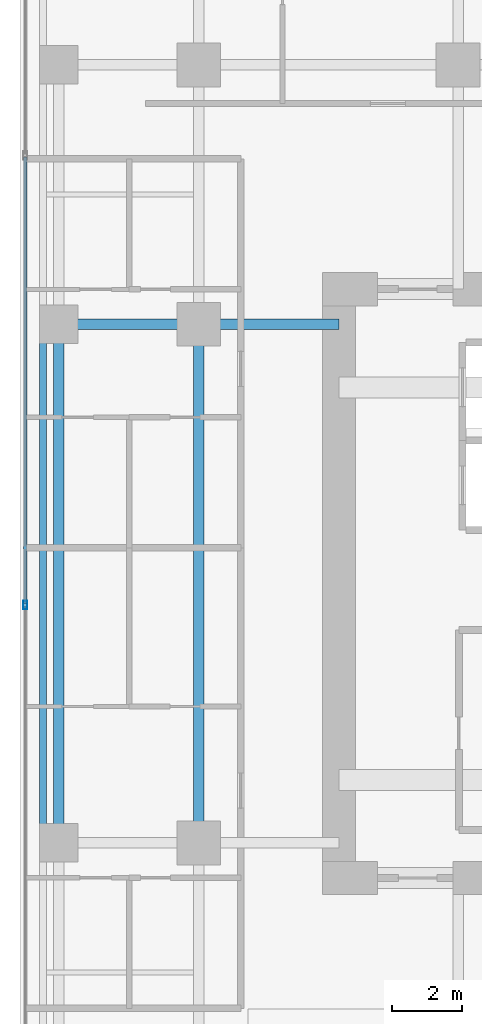
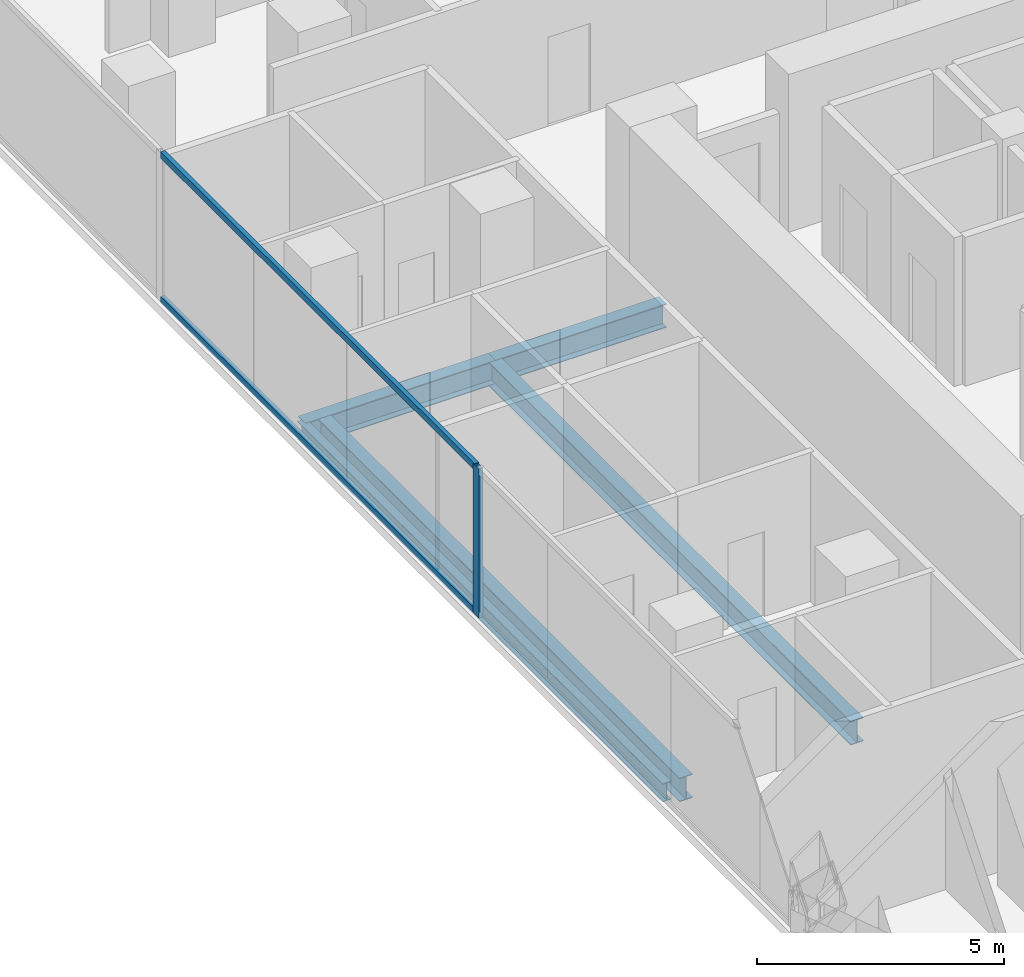
# One storey, part 6 of 28: 5 beams, 3 members, 1 element without a shape of its own.
"""IFC4 building model written with IfcOpenShell, lengths in metres."""

import ifcopenshell
import ifcopenshell.guid

model = None  # the IFC model being written
_history = None  # IfcOwnerHistory: only IFC2X3 demands one
_inside = {}  # id of a spatial element -> (the spatial element, [elements in it])
_under = {}  # id of a project, library or spatial element -> (it, [spatial elements below it])
_declared = {}  # id of a project -> (the project, [libraries it declares])
_typed = {}  # id of a type object -> (the type object, [elements of that type])
_made_of = {}  # id of a material, layer set ... -> (it, [elements and type objects made of it])


def new_model(schema):
    """Start an empty IFC model of exactly this schema.

    Asked for "IFC4X3", IfcOpenShell would pick the latest addendum, in which some entities
    have other attributes; the version numbers below select the first issue.
    IFC2X3 requires an IfcOwnerHistory on every rooted entity: one is made here for all.
    """
    global model, _history
    if schema == "IFC4X3":
        model = ifcopenshell.file(schema_version=(4, 3, 0, 0))
    else:
        model = ifcopenshell.file(schema=schema)
    _inside.clear()
    _under.clear()
    _declared.clear()
    _typed.clear()
    _made_of.clear()
    _history = None
    if model.schema == "IFC2X3":
        org = make("IfcOrganization", Name="unknown")
        user = make(
            "IfcPersonAndOrganization",
            ThePerson=make("IfcPerson", FamilyName="unknown"),
            TheOrganization=org,
        )
        app = make(
            "IfcApplication",
            ApplicationDeveloper=org,
            Version="unknown",
            ApplicationFullName="unknown",
            ApplicationIdentifier="unknown",
        )
        _history = make(
            "IfcOwnerHistory",
            OwningUser=user,
            OwningApplication=app,
            ChangeAction="ADDED",
            CreationDate=0,
        )
    return model


def make(cls, **values):
    """One entity of the class cls with the attributes given. An attribute that is None is left unset."""
    return model.create_entity(
        cls, **{name: value for name, value in values.items() if value is not None}
    )


def rooted(cls, **values):
    """An entity with a GlobalId (a new one), such as an element, a storey or a relation."""
    return make(cls, GlobalId=ifcopenshell.guid.new(), OwnerHistory=_history, **values)


def si_unit(unit_type, name, prefix=None):
    """IfcSIUnit, for example si_unit("LENGTHUNIT", "METRE", prefix="MILLI")."""
    return make("IfcSIUnit", UnitType=unit_type, Prefix=prefix, Name=name)


def assignment(units):
    """IfcUnitAssignment: the units of a project."""
    return None if units is None else make("IfcUnitAssignment", Units=units)


def point(xyz):
    """IfcCartesianPoint."""
    return None if xyz is None else make("IfcCartesianPoint", Coordinates=xyz)


def direction(xyz):
    """IfcDirection."""
    return None if xyz is None else make("IfcDirection", DirectionRatios=xyz)


def frame(location, z_axis=None, x_axis=None):
    """IfcAxis2Placement3D, a coordinate frame: its origin and axes. An axis left out is left unset."""
    return make(
        "IfcAxis2Placement3D",
        Location=point(location),
        Axis=direction(z_axis),
        RefDirection=direction(x_axis),
    )


def frame_2d(location, x_axis=None):
    """IfcAxis2Placement2D, a coordinate frame in the plane: its origin and x axis."""
    return make(
        "IfcAxis2Placement2D", Location=point(location), RefDirection=direction(x_axis)
    )


def origin():
    """The frame at (0, 0, 0) with its axes left unset."""
    return frame((0.0, 0.0, 0.0))


def origin_2d():
    """The frame at (0, 0) in the plane with its x axis left unset."""
    return frame_2d((0.0, 0.0))


def place(relative_to, where):
    """IfcLocalPlacement: puts the frame where relative to a parent placement (None: the world)."""
    return make(
        "IfcLocalPlacement", PlacementRelTo=relative_to, RelativePlacement=where
    )


def context(
    kind, dimensions, precision=None, world=None, true_north=None, identifier=None
):
    """IfcGeometricRepresentationContext, for example the 3D "Model" context."""
    return make(
        "IfcGeometricRepresentationContext",
        ContextIdentifier=identifier,
        ContextType=kind,
        CoordinateSpaceDimension=dimensions,
        Precision=precision,
        WorldCoordinateSystem=world,
        TrueNorth=true_north,
    )


def subcontext(parent, identifier, kind, view, scale=None):
    """IfcGeometricRepresentationSubContext, for example "Body" below "Model"."""
    return make(
        "IfcGeometricRepresentationSubContext",
        ContextIdentifier=identifier,
        ContextType=kind,
        ParentContext=parent,
        TargetScale=scale,
        TargetView=view,
    )


def project(units=None, contexts=None):
    """IfcProject with its units and contexts."""
    return rooted(
        "IfcProject",
        Name="project",
        RepresentationContexts=contexts,
        UnitsInContext=assignment(units),
    )


def spatial(cls, under=None, at=None, **own):
    """A site, building, storey or space (cls), placed at a placement, below another one or the project."""
    s = rooted(cls, ObjectPlacement=at, **own)
    if under is not None:
        _under.setdefault(under.id(), (under, []))[1].append(s)
    return s


def profile(cls, at=None, kind="AREA", **sizes):
    """A parametric profile (cls). Its sizes go by their IFC names, for example OverallWidth=200.0."""
    return make(cls, ProfileType=kind, Position=at, **sizes)


def hollow_rectangle(**sizes):
    """IfcRectangleHollowProfileDef."""
    return profile("IfcRectangleHollowProfileDef", **sizes)


def i_section(**sizes):
    """IfcIShapeProfileDef."""
    return profile("IfcIShapeProfileDef", **sizes)


def extrude(swept, where, along, depth):
    """IfcExtrudedAreaSolid: the profile swept, set in the frame where, extruded along a direction by depth."""
    return make(
        "IfcExtrudedAreaSolid",
        SweptArea=swept,
        Position=where,
        ExtrudedDirection=direction(along),
        Depth=depth,
    )


def shape(context_of_items, identifier, shape_type, items):
    """IfcShapeRepresentation: the items that make up one representation, for example the "Body"."""
    return make(
        "IfcShapeRepresentation",
        ContextOfItems=context_of_items,
        RepresentationIdentifier=identifier,
        RepresentationType=shape_type,
        Items=items,
    )


def material(Name=None, Category=None):
    """IfcMaterial."""
    return make("IfcMaterial", Name=Name, Category=Category)


def layer(
    of_material, thickness, ventilated=None, Name=None, Category=None, Priority=None
):
    """IfcMaterialLayer: one layer of a wall or slab, of a material (None: an air gap)."""
    return make(
        "IfcMaterialLayer",
        Material=of_material,
        LayerThickness=thickness,
        IsVentilated=ventilated,
        Name=Name,
        Category=Category,
        Priority=Priority,
    )


def layer_set(layers, Name=None):
    """IfcMaterialLayerSet."""
    return make("IfcMaterialLayerSet", MaterialLayers=layers, LayerSetName=Name)


def material_profile(
    of_material, cross_section, Name=None, Category=None, Priority=None
):
    """IfcMaterialProfile: a cross section and its material."""
    return make(
        "IfcMaterialProfile",
        Name=Name,
        Material=of_material,
        Profile=cross_section,
        Priority=Priority,
        Category=Category,
    )


def profile_set(profiles, Name=None, composite=None):
    """IfcMaterialProfileSet."""
    return make(
        "IfcMaterialProfileSet",
        Name=Name,
        MaterialProfiles=profiles,
        CompositeProfile=composite,
    )


def made_of(thing, what):
    """Note that an element or type object is made of a material, layer set ...; save() writes the relation."""
    if what is not None:
        _made_of.setdefault(what.id(), (what, []))[1].append(thing)
    return thing


def type_object(cls, material=None, **own):
    """A type object (cls), such as IfcWallType, which elements share."""
    return made_of(rooted(cls, **own), material)


def element(
    cls,
    number,
    at=None,
    inside=None,
    cuts=None,
    type_object=None,
    material=None,
    context=None,
    identifier="Body",
    shape_type=None,
    held_by="IfcProductDefinitionShape",
    body=None,
    shapes=None,
    **own,
):
    """One element of the class cls, such as IfcWall. Its Tag is "e" and its number.

    at: its placement. inside: the storey or other place that contains it. cuts: it is an
    opening in that element (IfcRelVoidsElement). A single representation is given by context,
    identifier, shape_type and body (its items); several are given by shapes. held_by: the class
    of the entity that holds the representations. save() writes the other relations.
    """
    e = rooted(cls, Tag="e%d" % number, ObjectPlacement=at, **own)
    if body is not None:
        shapes = [shape(context, identifier, shape_type, body)]
    if shapes is not None:
        e.Representation = make(held_by, Representations=shapes)
    if inside is not None:
        _inside.setdefault(inside.id(), (inside, []))[1].append(e)
    if cuts is not None:
        rooted(
            "IfcRelVoidsElement", RelatingBuildingElement=cuts, RelatedOpeningElement=e
        )
    if type_object is not None:
        _typed.setdefault(type_object.id(), (type_object, []))[1].append(e)
    return made_of(e, material)


def aggregate(whole, parts):
    """IfcRelAggregates: a whole, such as a stair, and the parts it consists of."""
    return rooted("IfcRelAggregates", RelatingObject=whole, RelatedObjects=parts)


def save(model, path):
    """Write the relations noted so far, then the file.

    IfcRelAggregates (storeys below a building ...), IfcRelContainedInSpatialStructure (elements
    in a storey), IfcRelDefinesByType, IfcRelAssociatesMaterial and IfcRelDeclares: one each for
    every whole, place, type object, material and project.
    """
    for whole, parts in _under.values():
        aggregate(whole, parts)
    for where, things in _inside.values():
        rooted(
            "IfcRelContainedInSpatialStructure",
            RelatedElements=things,
            RelatingStructure=where,
        )
    for kind, things in _typed.values():
        rooted("IfcRelDefinesByType", RelatedObjects=things, RelatingType=kind)
    for what, things in _made_of.values():
        rooted("IfcRelAssociatesMaterial", RelatedObjects=things, RelatingMaterial=what)
    for by, libraries in _declared.values():
        rooted("IfcRelDeclares", RelatingContext=by, RelatedDefinitions=libraries)
    model.write(path)


model = new_model("IFC4")

# Units and contexts
model_context = context("Model", 3, precision=1e-05, world=origin(), true_north=direction((0.0, 1.0)))
body_context = subcontext(model_context, "Body", "Model", "MODEL_VIEW")
ifc_project = project(units=[si_unit("LENGTHUNIT", "METRE"), si_unit("AREAUNIT", "SQUARE_METRE"), si_unit("VOLUMEUNIT", "CUBIC_METRE"), si_unit("PLANEANGLEUNIT", "RADIAN"), si_unit("MASSUNIT", "GRAM", prefix="KILO")], contexts=[model_context])

# Site, building, storey
site_placement = place(None, origin())
site = spatial("IfcSite", under=ifc_project, at=site_placement, CompositionType="ELEMENT")
building_placement = place(site_placement, origin())
building = spatial("IfcBuilding", under=site, at=building_placement, Name="Khorvyn Point Tower", CompositionType="ELEMENT")
storey_placement = place(building_placement, frame((0.0, 0.0, 121.199951171875)))
storey = spatial("IfcBuildingStorey", under=building, at=storey_placement, Name="L30", CompositionType="ELEMENT", Elevation=121.199951171875)

# Curtain wall, members
ifc_material_1 = material(Name="Anodised aluminium 6063-T6 and laminated Low-E glass", Category="aluminium")
ifc_layer = layer(ifc_material_1, 0.18994140625)
ifc_layer_set = layer_set([ifc_layer], Name="Stick-Built Acoustic Curtain Wall CW-SYS-03")
curtain_wall_type = type_object("IfcCurtainWallType", Name="Stick-Built Acoustic Curtain Wall CW-SYS-03", PredefinedType="NOTDEFINED", material=ifc_layer_set)
curtain_wall_placement = place(storey_placement, origin())
curtain_wall = element("IfcCurtainWall", 1, at=curtain_wall_placement, inside=storey, type_object=curtain_wall_type, Name="Curtain Wall", PredefinedType="NOTDEFINED")
ifc_material_2 = material(Name="Anodised aluminium 6063-T6", Category="aluminium")
ifc_material_profile_1 = material_profile(ifc_material_2, hollow_rectangle(XDim=0.10009765625, YDim=0.239990234375, WallThickness=0.0048828125, at=origin_2d()))
ifc_profile_set_1 = profile_set([ifc_material_profile_1], Name="Anodised aluminium 6063-T6 ALU-MUL-100x240")
member_type_1 = type_object("IfcMemberType", Name="Anodised Aluminium 6063-T6 Mullion ALU-MUL-100x240", PredefinedType="MULLION", material=ifc_profile_set_1)
member_1_placement = place(storey_placement, frame((-19.75, -0.61669921875, 0.0), z_axis=(0.0, 0.0, 1.0), x_axis=(-1.0, 0.0, 0.0)))
member_1 = element("IfcMember", 2, at=member_1_placement, type_object=member_type_1, Name="Transom", PredefinedType="MULLION", context=body_context, shape_type="SweptSolid", body=[
    extrude(hollow_rectangle(XDim=0.10009765625, YDim=0.239990234375, WallThickness=0.0048828125, at=origin_2d()), origin(), (0.0, 0.0, 1.0), 3.679931640625),
])
ifc_material_profile_2 = material_profile(ifc_material_2, hollow_rectangle(XDim=0.10009765625, YDim=0.159912109375, WallThickness=0.00439453125, at=origin_2d()))
ifc_profile_set_2 = profile_set([ifc_material_profile_2], Name="Anodised aluminium 6063-T6 ALU-TRN-100x160")
member_type_2 = type_object("IfcMemberType", Name="Anodised Aluminium 6063-T6 Transom ALU-TRN-100x160", PredefinedType="USERDEFINED", material=ifc_profile_set_2)
member_2_placement = place(storey_placement, frame((-19.75, -0.566650390625, 0.050048828125), z_axis=(0.0, 1.0, 0.0), x_axis=(-1.0, 0.0, 0.0)))
member_2 = element("IfcMember", 3, at=member_2_placement, type_object=member_type_2, Name="Transom", ObjectType="TRANSOM", PredefinedType="USERDEFINED", context=body_context, shape_type="SweptSolid", body=[
    extrude(hollow_rectangle(XDim=0.10009765625, YDim=0.159912109375, WallThickness=0.00439453125, at=origin_2d()), origin(), (0.0, 0.0, 1.0), 12.7333984375),
])
member_3_placement = place(storey_placement, frame((-19.75, -0.566650390625, 3.630126953125), z_axis=(0.0, 1.0, 0.0), x_axis=(-1.0, 0.0, 0.0)))
member_3 = element("IfcMember", 4, at=member_3_placement, type_object=member_type_2, Name="Transom", ObjectType="TRANSOM", PredefinedType="USERDEFINED", context=body_context, shape_type="SweptSolid", body=[
    extrude(hollow_rectangle(XDim=0.10009765625, YDim=0.159912109375, WallThickness=0.00439453125, at=origin_2d()), origin(), (0.0, 0.0, 1.0), 12.7333984375),
])
aggregate(curtain_wall, [member_1, member_2, member_3])

# Beams
ifc_material_3 = material(Name="Steel S355", Category="steel")
ifc_material_profile_3 = material_profile(ifc_material_3, i_section(OverallWidth=0.300048828125, OverallDepth=0.587890625, WebThickness=0.011962890625, FlangeThickness=0.02001953125, at=origin_2d()))
ifc_profile_set_3 = profile_set([ifc_material_profile_3], Name="Steel S355 H588x300x12x20")
beam_type_1 = type_object("IfcBeamType", Name="Steel S355 Beam H588x300x12x20", PredefinedType="BEAM", material=ifc_profile_set_3)
beam_1_placement = place(storey_placement, frame((-19.25, 7.39990234375, -0.513916015625), z_axis=(1.0, 0.0, 0.0), x_axis=(0.0, 1.0, 0.0)))
element("IfcBeam", 5, at=beam_1_placement, inside=storey, type_object=beam_type_1, Name="Beam", PredefinedType="BEAM", context=body_context, shape_type="SweptSolid", body=[
    extrude(i_section(OverallWidth=0.300048828125, OverallDepth=0.587890625, WebThickness=0.011962890625, FlangeThickness=0.02001953125, at=origin_2d()), origin(), (0.0, 0.0, 1.0), 4.449951171875),
])
beam_2_placement = place(storey_placement, frame((-14.800048828125, 7.39990234375, -0.513916015625), z_axis=(1.0, 0.0, 0.0), x_axis=(0.0, 1.0, 0.0)))
element("IfcBeam", 6, at=beam_2_placement, inside=storey, type_object=beam_type_1, Name="Beam", PredefinedType="BEAM", context=body_context, shape_type="SweptSolid", body=[
    extrude(i_section(OverallWidth=0.300048828125, OverallDepth=0.587890625, WebThickness=0.011962890625, FlangeThickness=0.02001953125, at=origin_2d()), origin(), (0.0, 0.0, 1.0), 4.0),
])
for number, where, z_axis, x_axis, name in (
    (7, (-14.800048828125, -7.39990234375, -0.513916015625), (0.0, 1.0, 0.0), (-1.0, 0.0, 0.0), "Beam"),
    (8, (-18.800048828125, -7.39990234375, -0.513916015625), (0.0, 1.0, 0.0), (-1.0, 0.0, 0.0), "Beam"),
):
    element("IfcBeam", number, at=place(storey_placement, frame(where, z_axis=z_axis, x_axis=x_axis)), inside=storey, type_object=beam_type_1, Name=name, PredefinedType="BEAM", context=body_context, shape_type="SweptSolid", body=[
        extrude(i_section(OverallWidth=0.300048828125, OverallDepth=0.587890625, WebThickness=0.011962890625, FlangeThickness=0.02001953125, at=origin_2d()), origin(), (0.0, 0.0, 1.0), 14.7998046875),
    ])
ifc_material_profile_4 = material_profile(ifc_material_3, i_section(OverallWidth=0.199951171875, OverallDepth=0.449951171875, WebThickness=0.009033203125, FlangeThickness=0.013916015625, at=origin_2d()))
ifc_profile_set_4 = profile_set([ifc_material_profile_4], Name="Steel S355 H450x200x9x14")
beam_type_2 = type_object("IfcBeamType", Name="Steel S355 Spandrel H450x200x9x14", PredefinedType="SPANDREL", material=ifc_profile_set_4)
beam_3_placement = place(storey_placement, frame((-19.25, -7.39990234375, -0.445068359375), z_axis=(0.0, 1.0, 0.0), x_axis=(-1.0, 0.0, 0.0)))
element("IfcBeam", 9, at=beam_3_placement, inside=storey, type_object=beam_type_2, Name="Beam", PredefinedType="SPANDREL", context=body_context, shape_type="SweptSolid", body=[
    extrude(i_section(OverallWidth=0.199951171875, OverallDepth=0.449951171875, WebThickness=0.009033203125, FlangeThickness=0.013916015625, at=origin_2d()), origin(), (0.0, 0.0, 1.0), 14.7998046875),
])

save(model, "model.ifc")
